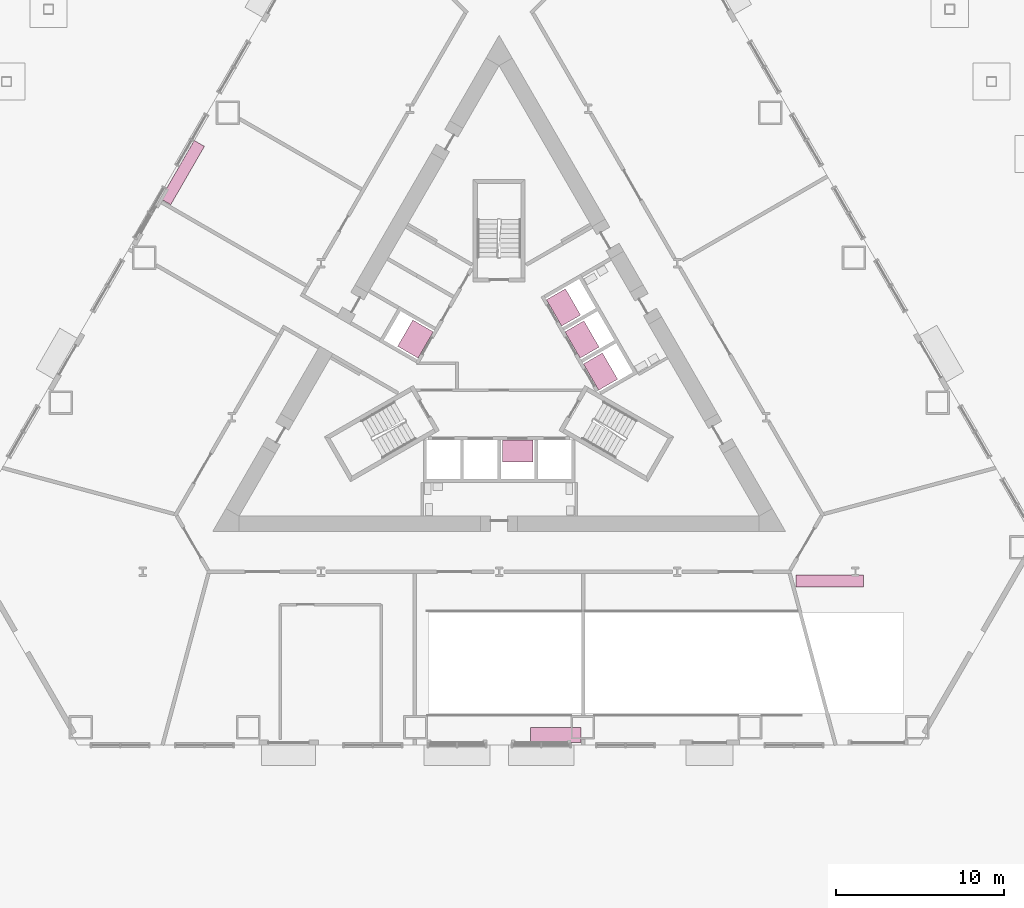
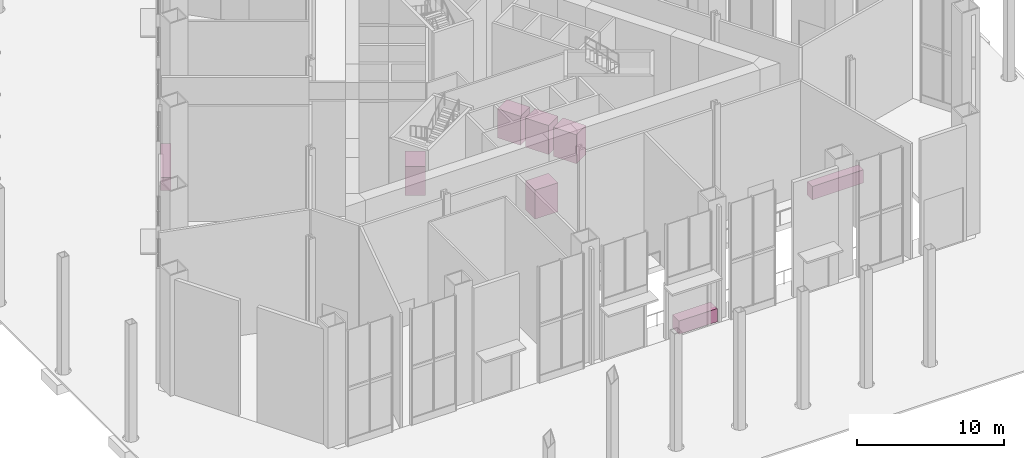
# One storey, part 18 of 18: 5 transport elements, 3 furniture elements.
"""IFC4 building model written with IfcOpenShell, lengths in metres."""

from ifc_helpers import new_model, si_unit, direction, frame, origin, origin_2d, place, context, subcontext, project, spatial, rectangle, extrude, material, type_object, element, save


model = new_model("IFC4")

# Units and contexts
model_context = context("Model", 3, precision=1e-05, world=origin(), true_north=direction((0.0, 1.0)))
body_context = subcontext(model_context, "Body", "Model", "MODEL_VIEW")
ifc_project = project(units=[si_unit("LENGTHUNIT", "METRE"), si_unit("AREAUNIT", "SQUARE_METRE"), si_unit("VOLUMEUNIT", "CUBIC_METRE"), si_unit("PLANEANGLEUNIT", "RADIAN"), si_unit("MASSUNIT", "GRAM", prefix="KILO")], contexts=[model_context])

# Site, building, storey
site_placement = place(None, origin())
site = spatial("IfcSite", under=ifc_project, at=site_placement, CompositionType="ELEMENT")
building_placement = place(site_placement, origin())
building = spatial("IfcBuilding", under=site, at=building_placement, Name="Cormorant Prow Tower", CompositionType="ELEMENT")
storey_placement = place(building_placement, origin())
storey = spatial("IfcBuildingStorey", under=building, at=storey_placement, Name="L00", CompositionType="ELEMENT", Elevation=0.0)

# Furniture
ifc_material_1 = material(Name="Timber joinery", Category="wood")
furniture_type_1 = type_object("IfcFurnitureType", Name="Bar counter 4000x700", AssemblyPlace="NOTDEFINED", PredefinedType="NOTDEFINED", material=ifc_material_1)
for number, where, z_axis, x_axis, name in (
    (1, (19.6328125, -12.771728515625, 0.0), (0.0, 0.0, 1.0), (1.0, 0.0, 0.0), "Bar counter"),
    (2, (-18.79833984375, 11.483642578125, 0.0), (0.0, 0.0, 1.0), (0.5, 0.866025403784, 0.0), "Bar counter"),
):
    element("IfcFurniture", number, at=place(storey_placement, frame(where, z_axis=z_axis, x_axis=x_axis)), inside=storey, type_object=furniture_type_1, Name=name, PredefinedType="NOTDEFINED", context=body_context, shape_type="SweptSolid", body=[
        extrude(rectangle(XDim=4.0, YDim=0.699951171875, at=origin_2d()), origin(), (0.0, 0.0, 1.0), 1.10009765625),
    ])

# Transport elements
ifc_material_2 = material(Name="Stainless steel", Category="steel")
transport_element_type_1 = type_object("IfcTransportElementType", Name="Passenger lift car 1800x1300", PredefinedType="ELEVATOR", material=ifc_material_2)
for number, where, z_axis, x_axis, name in (
    (3, (1.10009765625, -5.050048828125, 0.0), (0.0, 0.0, 1.0), (1.0, 0.0, 0.0), "Low-rise lift LR1"),
    (4, (6.0234375, -0.3330078125, 0.0), (0.0, 0.0, 1.0), (-0.5, 0.866025403784, 0.0), "Low-rise lift LR2"),
    (5, (4.92333984375, 1.572509765625, 0.0), (0.0, 0.0, 1.0), (-0.5, 0.866025403784, 0.0), "Low-rise lift LR3"),
    (6, (3.823486328125, 3.4775390625, 0.0), (0.0, 0.0, 1.0), (-0.5, 0.866025403784, 0.0), "Low-rise lift LR4"),
):
    element("IfcTransportElement", number, at=place(storey_placement, frame(where, z_axis=z_axis, x_axis=x_axis)), inside=storey, type_object=transport_element_type_1, Name=name, PredefinedType="ELEVATOR", context=body_context, shape_type="SweptSolid", body=[
        extrude(rectangle(XDim=1.800048828125, YDim=1.300048828125, at=origin_2d()), origin(), (0.0, 0.0, 1.0), 2.39990234375),
    ])
ifc_material_3 = material(Name="Stainless steel", Category="steel")
transport_element_type_2 = type_object("IfcTransportElementType", Name="Passenger lift car 1800x1400", PredefinedType="ELEVATOR", material=ifc_material_3)
transport_element_placement = place(storey_placement, frame((-4.966796875, 1.597412109375, 0.0), z_axis=(0.0, 0.0, 1.0), x_axis=(-0.5, -0.866025403784, 0.0)))
element("IfcTransportElement", 7, at=transport_element_placement, inside=storey, type_object=transport_element_type_2, Name="Express shuttle lift SH1", PredefinedType="ELEVATOR", context=body_context, shape_type="SweptSolid", body=[
    extrude(rectangle(XDim=1.800048828125, YDim=1.39990234375, at=origin_2d()), origin(), (0.0, 0.0, 1.0), 2.39990234375),
])

# Furniture
ifc_material_4 = material(Name="Timber joinery", Category="wood")
furniture_type_2 = type_object("IfcFurnitureType", Name="Reception desk 3000x900", AssemblyPlace="NOTDEFINED", PredefinedType="DESK", material=ifc_material_4)
furniture_placement = place(storey_placement, frame((3.35498046875, -21.921630859375, 0.0), z_axis=(0.0, 0.0, 1.0), x_axis=(-1.0, 0.0, 0.0)))
element("IfcFurniture", 8, at=furniture_placement, inside=storey, type_object=furniture_type_2, Name="Reception desk", PredefinedType="DESK", context=body_context, shape_type="SweptSolid", body=[
    extrude(rectangle(XDim=3.0, YDim=0.89990234375, at=origin_2d()), origin(), (0.0, 0.0, 1.0), 1.10009765625),
])

save(model, "model.ifc")
